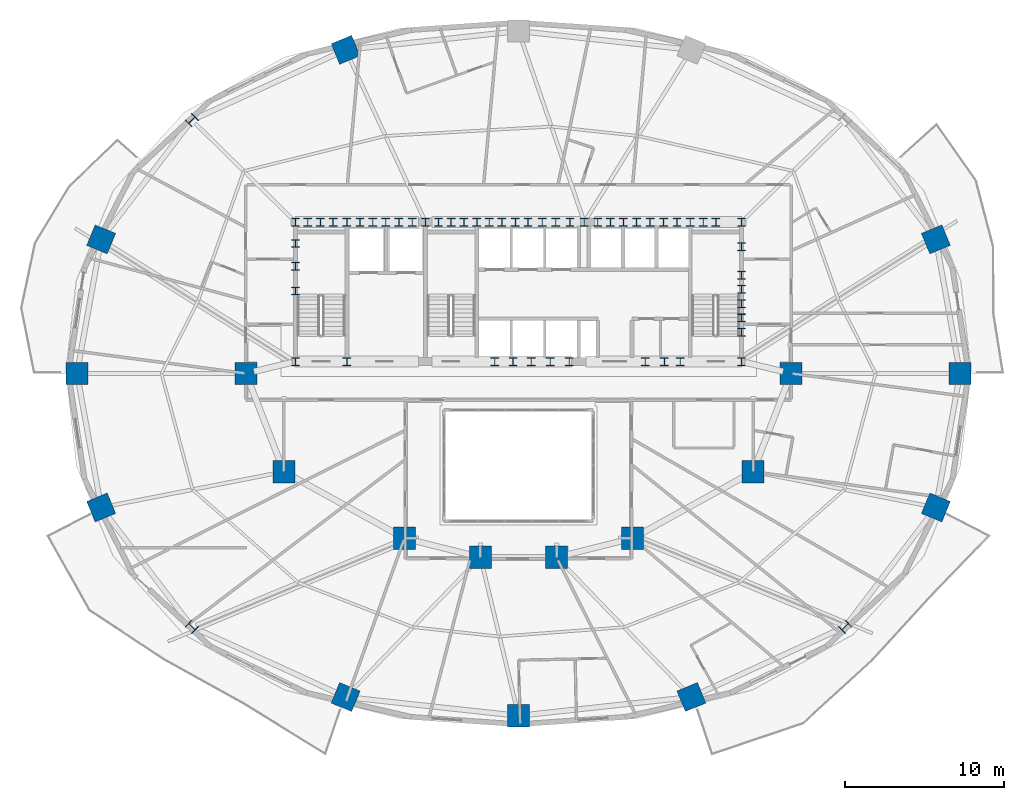
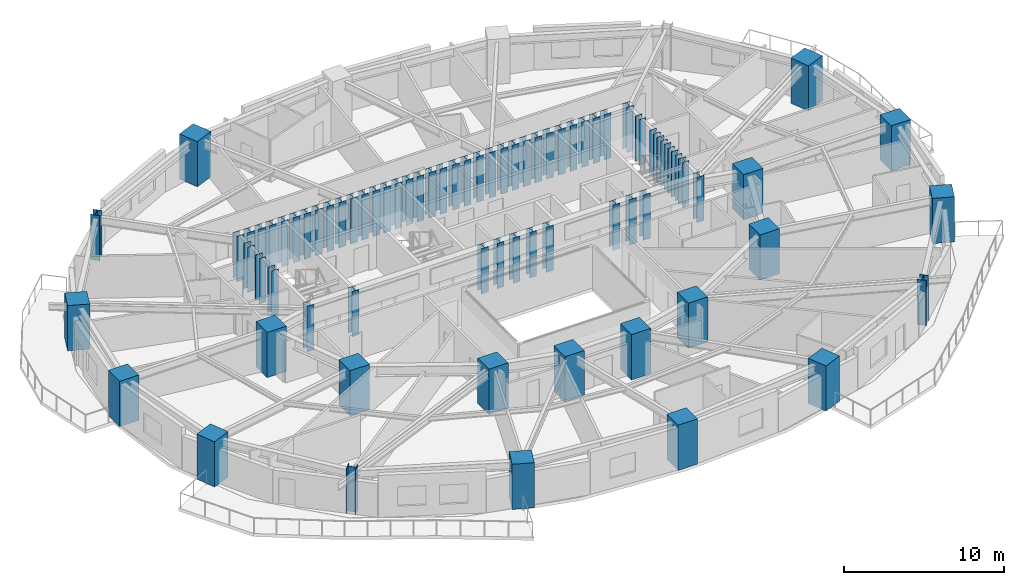
# One storey, part 1 of 16: 75 columns.
"""IFC4 building model written with IfcOpenShell, lengths in metres."""

from ifc_helpers import new_model, si_unit, direction, frame, origin, origin_2d, place, context, subcontext, project, spatial, rectangle, i_section, extrude, material, material_profile, profile_set, type_object, element, save


model = new_model("IFC4")

# Units and contexts
model_context = context("Model", 3, precision=1e-05, world=origin(), true_north=direction((0.0, 1.0)))
body_context = subcontext(model_context, "Body", "Model", "MODEL_VIEW")
ifc_project = project(units=[si_unit("LENGTHUNIT", "METRE"), si_unit("AREAUNIT", "SQUARE_METRE"), si_unit("VOLUMEUNIT", "CUBIC_METRE"), si_unit("PLANEANGLEUNIT", "RADIAN"), si_unit("MASSUNIT", "GRAM", prefix="KILO")], contexts=[model_context])

# Site, building, storey
site_placement = place(None, origin())
site = spatial("IfcSite", under=ifc_project, at=site_placement, CompositionType="ELEMENT")
building_placement = place(site_placement, origin())
building = spatial("IfcBuilding", under=site, at=building_placement, Name="Haldorwick Loom Tower", CompositionType="ELEMENT")
storey_placement = place(building_placement, frame((0.0, 0.0, 88.699951171875)))
storey = spatial("IfcBuildingStorey", under=building, at=storey_placement, Name="L23", CompositionType="ELEMENT", Elevation=88.699951171875)

# Columns
ifc_material_1 = material(Name="Concrete C60 (60 MPa)", Category="concrete")
ifc_material_profile_1 = material_profile(ifc_material_1, rectangle(XDim=1.39990234375, YDim=1.39990234375, at=origin_2d()), Name="RC1400X1400", Category="concrete")
ifc_profile_set_1 = profile_set([ifc_material_profile_1], Name="Concrete C60 (60 MPa)")
column_type_1 = type_object("IfcColumnType", Name="STR-COL-MEGA1400", PredefinedType="COLUMN", material=ifc_profile_set_1)
for number, where, z_axis, x_axis, name in (
    (1, (53.199951171875, 26.0, 0.0), (0.0, 0.0, 1.0), (1.0, 0.0, 0.0), "L23 Inner Column IC-01"),
    (2, (50.800048828125, 19.800048828125, 0.0), (0.0, 0.0, 1.0), (1.0, 0.0, 0.0), "L23 Inner Column IC-02"),
    (3, (43.199951171875, 15.60009765625, 0.0), (0.0, 0.0, 1.0), (1.0, 0.0, 0.0), "L23 Inner Column IC-03"),
    (4, (38.39990234375, 14.39990234375, 0.0), (0.0, 0.0, 1.0), (1.0, 0.0, 0.0), "L23 Inner Column IC-04"),
    (5, (33.60009765625, 14.39990234375, 0.0), (0.0, 0.0, 1.0), (1.0, 0.0, 0.0), "L23 Inner Column IC-05"),
    (6, (28.800048828125, 15.60009765625, 0.0), (0.0, 0.0, 1.0), (1.0, 0.0, 0.0), "L23 Inner Column IC-06"),
    (7, (21.199951171875, 19.800048828125, 0.0), (0.0, 0.0, 1.0), (1.0, 0.0, 0.0), "L23 Inner Column IC-07"),
    (8, (18.800048828125, 26.0, 0.0), (0.0, 0.0, 1.0), (1.0, 0.0, 0.0), "L23 Inner Column IC-08"),
):
    element("IfcColumn", number, at=place(storey_placement, frame(where, z_axis=z_axis, x_axis=x_axis)), inside=storey, type_object=column_type_1, Name=name, PredefinedType="COLUMN", context=body_context, shape_type="SweptSolid", body=[
        extrude(rectangle(XDim=1.39990234375, YDim=1.39990234375, at=origin_2d()), origin(), (0.0, 0.0, 1.0), 3.449951171875),
    ])
ifc_material_profile_2 = material_profile(ifc_material_1, rectangle(XDim=1.39990234375, YDim=1.39990234375, at=origin_2d()), Name="RC1400X1400", Category="concrete")
ifc_profile_set_2 = profile_set([ifc_material_profile_2], Name="Concrete C60 (60 MPa)")
column_type_2 = type_object("IfcColumnType", Name="STR-COL-RC1400", PredefinedType="PILASTER", material=ifc_profile_set_2)
for number, where, z_axis, x_axis, name in (
    (9, (63.857666015625, 26.0, 0.0), (0.0, 0.0, 1.0), (1.0, 0.0, 0.0), "L23 Perimeter Pier Column P01"),
    (10, (62.33056640625, 34.457275390625, 0.0), (0.0, 0.0, 1.0), (0.923879532511, 0.382683432365, 0.0), "L23 Perimeter Pier Column P02"),
    (11, (25.093505859375, 46.417724609375, 0.0), (0.0, 0.0, 1.0), (-0.382683432365, 0.923879532511, 0.0), "L23 Perimeter Pier Column P06"),
    (12, (9.66943359375, 34.457275390625, 0.0), (0.0, 0.0, 1.0), (-0.923879532511, 0.382683432365, 0.0), "L23 Perimeter Pier Column P08"),
    (13, (8.142333984375, 26.0, 0.0), (0.0, 0.0, 1.0), (-1.0, 0.0, 0.0), "L23 Perimeter Pier Column P09"),
    (14, (9.66943359375, 17.542724609375, 0.0), (0.0, 0.0, 1.0), (-0.923879532511, -0.382683432365, 0.0), "L23 Perimeter Pier Column P10"),
    (15, (25.093505859375, 5.582275390625, 0.0), (0.0, 0.0, 1.0), (-0.382683432365, -0.923879532511, 0.0), "L23 Perimeter Pier Column P12"),
    (16, (36.0, 4.401611328125, 0.0), (0.0, 0.0, 1.0), (0.0, -1.0, 0.0), "L23 Perimeter Pier Column P13"),
    (17, (46.906494140625, 5.582275390625, 0.0), (0.0, 0.0, 1.0), (0.382683432365, -0.923879532511, 0.0), "L23 Perimeter Pier Column P14"),
    (18, (62.33056640625, 17.542724609375, 0.0), (0.0, 0.0, 1.0), (0.923879532511, -0.382683432365, 0.0), "L23 Perimeter Pier Column P16"),
):
    element("IfcColumn", number, at=place(storey_placement, frame(where, z_axis=z_axis, x_axis=x_axis)), inside=storey, type_object=column_type_2, Name=name, PredefinedType="PILASTER", context=body_context, shape_type="SweptSolid", body=[
        extrude(rectangle(XDim=1.39990234375, YDim=1.39990234375, at=origin_2d()), origin(), (0.0, 0.0, 1.0), 3.449951171875),
    ])
ifc_material_2 = material(Name="Steel CSA G40.21 350WT", Category="steel")
ifc_material_profile_3 = material_profile(ifc_material_2, i_section(OverallWidth=0.5, OverallDepth=0.5, WebThickness=0.02197265625, FlangeThickness=0.031982421875, at=origin_2d()), Name="WWF500X500", Category="steel")
ifc_profile_set_3 = profile_set([ifc_material_profile_3], Name="Steel CSA G40.21 350WT")
column_type_3 = type_object("IfcColumnType", Name="STR-COL-WWF500", PredefinedType="COLUMN", material=ifc_profile_set_3)
for number, where, z_axis, x_axis, name in (
    (19, (21.929931640625, 35.550048828125, 0.0), (0.0, 0.0, 1.0), (1.0, 0.0, 0.0), "L23 Core Pilaster CB-01"),
    (20, (23.5, 35.550048828125, 0.0), (0.0, 0.0, 1.0), (1.0, 0.0, 0.0), "L23 Core Pilaster CB-02"),
    (21, (25.169921875, 35.550048828125, 0.0), (0.0, 0.0, 1.0), (1.0, 0.0, 0.0), "L23 Core Pilaster CB-03"),
    (22, (26.800048828125, 35.550048828125, 0.0), (0.0, 0.0, 1.0), (1.0, 0.0, 0.0), "L23 Core Pilaster CB-04"),
    (23, (28.449951171875, 35.550048828125, 0.0), (0.0, 0.0, 1.0), (1.0, 0.0, 0.0), "L23 Core Pilaster CB-05"),
    (24, (30.1298828125, 35.550048828125, 0.0), (0.0, 0.0, 1.0), (1.0, 0.0, 0.0), "L23 Core Pilaster CB-06"),
    (25, (31.75, 35.550048828125, 0.0), (0.0, 0.0, 1.0), (1.0, 0.0, 0.0), "L23 Core Pilaster CB-07"),
    (26, (33.3701171875, 35.550048828125, 0.0), (0.0, 0.0, 1.0), (1.0, 0.0, 0.0), "L23 Core Pilaster CB-08"),
    (27, (34.949951171875, 35.550048828125, 0.0), (0.0, 0.0, 1.0), (1.0, 0.0, 0.0), "L23 Core Pilaster CB-09"),
    (28, (36.60009765625, 35.550048828125, 0.0), (0.0, 0.0, 1.0), (1.0, 0.0, 0.0), "L23 Core Pilaster CB-10"),
    (29, (38.35009765625, 35.550048828125, 0.0), (0.0, 0.0, 1.0), (1.0, 0.0, 0.0), "L23 Core Pilaster CB-11"),
    (30, (40.14990234375, 35.550048828125, 0.0), (0.0, 0.0, 1.0), (1.0, 0.0, 0.0), "L23 Core Pilaster CB-12"),
    (31, (41.800048828125, 35.550048828125, 0.0), (0.0, 0.0, 1.0), (1.0, 0.0, 0.0), "L23 Core Pilaster CB-13"),
    (32, (43.449951171875, 35.550048828125, 0.0), (0.0, 0.0, 1.0), (1.0, 0.0, 0.0), "L23 Core Pilaster CB-14"),
    (33, (45.14990234375, 35.550048828125, 0.0), (0.0, 0.0, 1.0), (1.0, 0.0, 0.0), "L23 Core Pilaster CB-15"),
    (34, (46.830078125, 35.550048828125, 0.0), (0.0, 0.0, 1.0), (1.0, 0.0, 0.0), "L23 Core Pilaster CB-16"),
    (35, (48.449951171875, 35.550048828125, 0.0), (0.0, 0.0, 1.0), (1.0, 0.0, 0.0), "L23 Core Pilaster CB-17"),
    (36, (50.070068359375, 35.550048828125, 0.0), (0.0, 0.0, 1.0), (1.0, 0.0, 0.0), "L23 Core Pilaster CB-18"),
    (37, (21.929931640625, 26.75, 0.0), (0.0, 0.0, 1.0), (1.0, 0.0, 0.0), "L23 Core Pilaster CB-19"),
    (38, (25.169921875, 26.75, 0.0), (0.0, 0.0, 1.0), (1.0, 0.0, 0.0), "L23 Core Pilaster CB-20"),
    (39, (34.5, 26.75, 0.0), (0.0, 0.0, 1.0), (1.0, 0.0, 0.0), "L23 Core Pilaster CB-21"),
    (40, (36.800048828125, 26.75, 0.0), (0.0, 0.0, 1.0), (1.0, 0.0, 0.0), "L23 Core Pilaster CB-22"),
    (41, (39.199951171875, 26.75, 0.0), (0.0, 0.0, 1.0), (1.0, 0.0, 0.0), "L23 Core Pilaster CB-23"),
    (42, (45.199951171875, 26.75, 0.0), (0.0, 0.0, 1.0), (1.0, 0.0, 0.0), "L23 Core Pilaster CB-24"),
    (43, (50.070068359375, 26.75, 0.0), (0.0, 0.0, 1.0), (1.0, 0.0, 0.0), "L23 Core Pilaster CB-25"),
    (44, (21.929931640625, 31.199951171875, 0.0), (0.0, 0.0, 1.0), (1.0, 0.0, 0.0), "L23 Core Pilaster CB-26"),
    (45, (21.929931640625, 32.75, 0.0), (0.0, 0.0, 1.0), (1.0, 0.0, 0.0), "L23 Core Pilaster CB-27"),
    (46, (21.929931640625, 34.199951171875, 0.0), (0.0, 0.0, 1.0), (1.0, 0.0, 0.0), "L23 Core Pilaster CB-28"),
    (47, (50.070068359375, 28.60009765625, 0.0), (0.0, 0.0, 1.0), (1.0, 0.0, 0.0), "L23 Core Pilaster CB-29"),
    (48, (50.070068359375, 30.39990234375, 0.0), (0.0, 0.0, 1.0), (1.0, 0.0, 0.0), "L23 Core Pilaster CB-30"),
    (49, (50.070068359375, 32.199951171875, 0.0), (0.0, 0.0, 1.0), (1.0, 0.0, 0.0), "L23 Core Pilaster CB-31"),
    (50, (50.070068359375, 34.0, 0.0), (0.0, 0.0, 1.0), (1.0, 0.0, 0.0), "L23 Core Pilaster CB-32"),
    (51, (22.699951171875, 35.550048828125, 0.0), (0.0, 0.0, 1.0), (1.0, 0.0, 0.0), "L23 Core Pilaster CB-33"),
    (52, (27.6201171875, 35.550048828125, 0.0), (0.0, 0.0, 1.0), (1.0, 0.0, 0.0), "L23 Core Pilaster CB-34"),
    (53, (32.550048828125, 35.550048828125, 0.0), (0.0, 0.0, 1.0), (1.0, 0.0, 0.0), "L23 Core Pilaster CB-35"),
    (54, (37.5, 35.550048828125, 0.0), (0.0, 0.0, 1.0), (1.0, 0.0, 0.0), "L23 Core Pilaster CB-36"),
    (55, (42.6201171875, 35.550048828125, 0.0), (0.0, 0.0, 1.0), (1.0, 0.0, 0.0), "L23 Core Pilaster CB-37"),
    (56, (47.64990234375, 35.550048828125, 0.0), (0.0, 0.0, 1.0), (1.0, 0.0, 0.0), "L23 Core Pilaster CB-38"),
    (57, (24.300048828125, 35.550048828125, 0.0), (0.0, 0.0, 1.0), (1.0, 0.0, 0.0), "L23 Core Pilaster CB-39"),
    (58, (26.0, 35.550048828125, 0.0), (0.0, 0.0, 1.0), (1.0, 0.0, 0.0), "L23 Core Pilaster CB-40"),
    (59, (29.300048828125, 35.550048828125, 0.0), (0.0, 0.0, 1.0), (1.0, 0.0, 0.0), "L23 Core Pilaster CB-41"),
    (60, (30.949951171875, 35.550048828125, 0.0), (0.0, 0.0, 1.0), (1.0, 0.0, 0.0), "L23 Core Pilaster CB-42"),
    (61, (34.14990234375, 35.550048828125, 0.0), (0.0, 0.0, 1.0), (1.0, 0.0, 0.0), "L23 Core Pilaster CB-43"),
    (62, (35.800048828125, 35.550048828125, 0.0), (0.0, 0.0, 1.0), (1.0, 0.0, 0.0), "L23 Core Pilaster CB-44"),
    (63, (39.25, 35.550048828125, 0.0), (0.0, 0.0, 1.0), (1.0, 0.0, 0.0), "L23 Core Pilaster CB-45"),
    (64, (41.0, 35.550048828125, 0.0), (0.0, 0.0, 1.0), (1.0, 0.0, 0.0), "L23 Core Pilaster CB-46"),
    (65, (44.300048828125, 35.550048828125, 0.0), (0.0, 0.0, 1.0), (1.0, 0.0, 0.0), "L23 Core Pilaster CB-47"),
    (66, (46.0, 35.550048828125, 0.0), (0.0, 0.0, 1.0), (1.0, 0.0, 0.0), "L23 Core Pilaster CB-48"),
    (67, (50.070068359375, 29.5, 0.0), (0.0, 0.0, 1.0), (1.0, 0.0, 0.0), "L23 Core Pilaster CB-49"),
    (68, (50.070068359375, 31.300048828125, 0.0), (0.0, 0.0, 1.0), (1.0, 0.0, 0.0), "L23 Core Pilaster CB-50"),
    (69, (35.64990234375, 26.75, 0.0), (0.0, 0.0, 1.0), (1.0, 0.0, 0.0), "L23 Core Pilaster CB-51"),
    (70, (38.0, 26.75, 0.0), (0.0, 0.0, 1.0), (1.0, 0.0, 0.0), "L23 Core Pilaster CB-52"),
    (71, (44.0, 26.75, 0.0), (0.0, 0.0, 1.0), (1.0, 0.0, 0.0), "L23 Core Pilaster CB-53"),
    (72, (46.199951171875, 26.75, 0.0), (0.0, 0.0, 1.0), (1.0, 0.0, 0.0), "L23 Core Pilaster CB-54"),
):
    element("IfcColumn", number, at=place(storey_placement, frame(where, z_axis=z_axis, x_axis=x_axis)), inside=storey, type_object=column_type_3, Name=name, PredefinedType="COLUMN", context=body_context, shape_type="SweptSolid", body=[
        extrude(i_section(OverallWidth=0.5, OverallDepth=0.5, WebThickness=0.02197265625, FlangeThickness=0.031982421875, at=origin_2d()), origin(), (0.0, 0.0, 1.0), 3.449951171875),
    ])
ifc_material_profile_4 = material_profile(ifc_material_2, i_section(OverallWidth=0.60009765625, OverallDepth=0.60009765625, WebThickness=0.02490234375, FlangeThickness=0.035888671875, at=origin_2d()), Name="WWF600X600", Category="steel")
ifc_profile_set_4 = profile_set([ifc_material_profile_4], Name="Steel CSA G40.21 350WT")
column_type_4 = type_object("IfcColumnType", Name="STR-COL-WWF600", PredefinedType="COLUMN", material=ifc_profile_set_4)
for number, where, z_axis, x_axis, name in (
    (73, (15.393310546875, 41.981689453125, 0.0), (0.0, 0.0, 1.0), (-0.707106781187, 0.707106781187, 0.0), "L23 Perimeter Pier Column P07"),
    (74, (15.393310546875, 10.018310546875, 0.0), (0.0, 0.0, 1.0), (-0.707106781187, -0.707106781187, 0.0), "L23 Perimeter Pier Column P11"),
    (75, (56.606689453125, 10.018310546875, 0.0), (0.0, 0.0, 1.0), (0.707106781187, -0.707106781187, 0.0), "L23 Perimeter Pier Column P15"),
):
    element("IfcColumn", number, at=place(storey_placement, frame(where, z_axis=z_axis, x_axis=x_axis)), inside=storey, type_object=column_type_4, Name=name, PredefinedType="COLUMN", context=body_context, shape_type="SweptSolid", body=[
        extrude(i_section(OverallWidth=0.60009765625, OverallDepth=0.60009765625, WebThickness=0.02490234375, FlangeThickness=0.035888671875, at=origin_2d()), origin(), (0.0, 0.0, 1.0), 3.449951171875),
    ])

save(model, "model.ifc")
